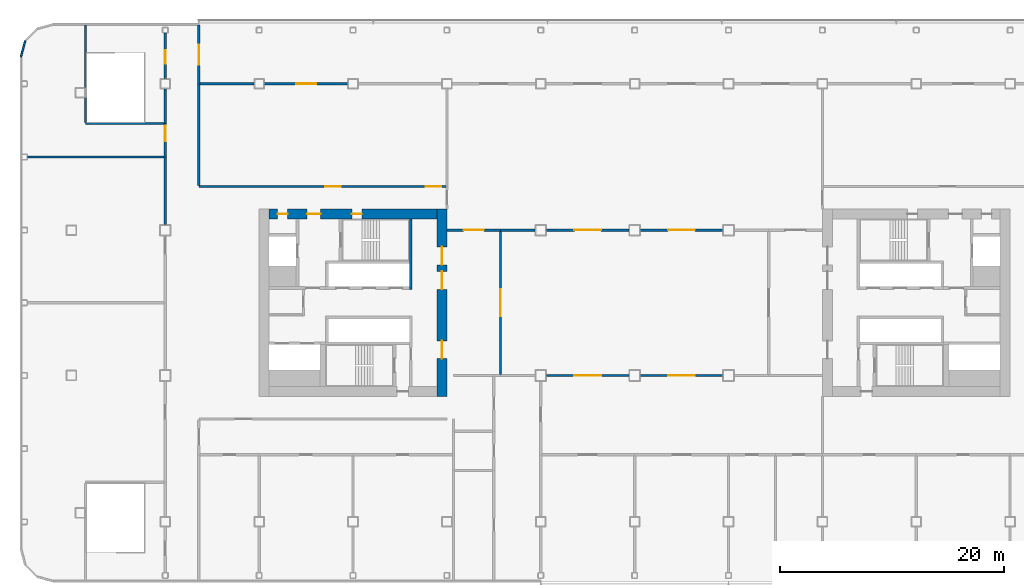
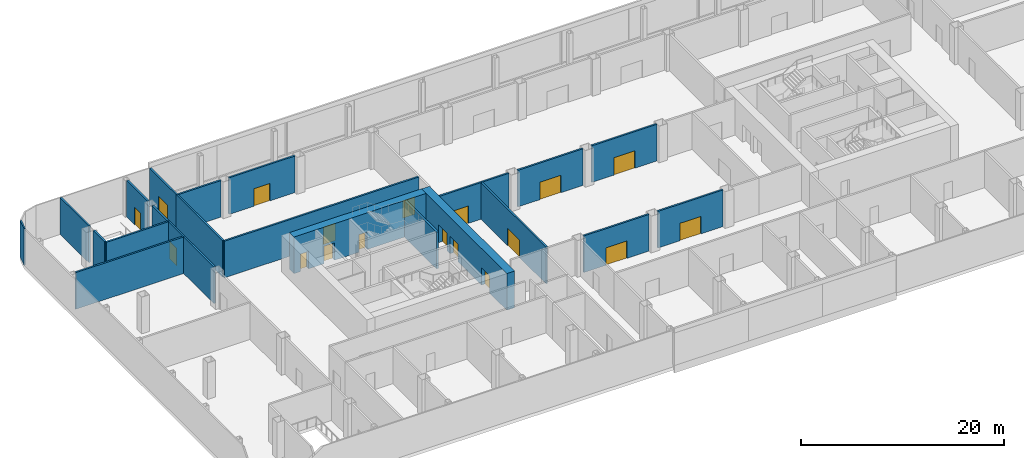
# One storey, part 20 of 53: 24 walls, 18 doors, 18 openings.
"""IFC4 building model written with IfcOpenShell, lengths in metres."""

from ifc_helpers import new_model, si_unit, direction, frame, frame_2d, origin, place, context, subcontext, project, spatial, rectangle, extrude, material, layer, layer_set, type_object, element, fill, save


model = new_model("IFC4")

# Units and contexts
model_context = context("Model", 3, precision=1e-05, world=origin(), true_north=direction((0.0, 1.0)))
body_context = subcontext(model_context, "Body", "Model", "MODEL_VIEW")
ifc_project = project(units=[si_unit("LENGTHUNIT", "METRE"), si_unit("AREAUNIT", "SQUARE_METRE"), si_unit("VOLUMEUNIT", "CUBIC_METRE"), si_unit("PLANEANGLEUNIT", "RADIAN"), si_unit("MASSUNIT", "GRAM", prefix="KILO")], contexts=[model_context])

# Site, building, storey
site_placement = place(None, origin())
site = spatial("IfcSite", under=ifc_project, at=site_placement, CompositionType="ELEMENT")
building_placement = place(site_placement, origin())
building = spatial("IfcBuilding", under=site, at=building_placement, Name="Hakoniwa Tower and Hamabe Station Hall", CompositionType="ELEMENT")
storey_placement = place(building_placement, frame((0.0, 0.0, 15.0)))
storey = spatial("IfcBuildingStorey", under=building, at=storey_placement, Name="L03", CompositionType="ELEMENT", Elevation=15.0)

# Wall, openings, doors
ifc_material_1 = material(Name="Concrete C80", Category="concrete")
ifc_layer_1 = layer(ifc_material_1, 0.89990234375)
ifc_layer_set_1 = layer_set([ifc_layer_1], Name="CORE WALL 900 C80")
wall_type_1 = type_object("IfcWallType", Name="CORE WALL 900 C80", PredefinedType="SHEAR", material=ifc_layer_set_1)
wall_1_placement = place(storey_placement, frame((-17.25, -8.39990234375, 0.0), z_axis=(0.0, 0.0, 1.0), x_axis=(0.0, 1.0, 0.0)))
wall_1 = element("IfcWall", 1, at=wall_1_placement, inside=storey, type_object=wall_type_1, Name="Core wall INNER west", PredefinedType="SHEAR", context=body_context, shape_type="SweptSolid", body=[
    extrude(rectangle(XDim=16.7998046875, YDim=0.89990234375, at=frame_2d((8.39990234375, 0.0))), origin(), (0.0, 0.0, 1.0), 4.39990234375),
])
opening_1_placement = place(wall_1_placement, frame((3.39990234375, 0.0, 0.0)))
opening_1 = element("IfcOpeningElement", 2, at=opening_1_placement, cuts=wall_1, Name="Opening CD-W-IN1-16", PredefinedType="OPENING", context=body_context, shape_type="SweptSolid", body=[
    extrude(rectangle(XDim=1.60009765625, YDim=2.10009765625, at=frame_2d((0.800048828125, 1.050048828125))), frame((0.0, 0.4599609375, 0.0), z_axis=(0.0, -1.0, 0.0), x_axis=(1.0, 0.0, 0.0)), (0.0, 0.0, 1.0), 0.919921875),
])
opening_2_placement = place(wall_1_placement, frame((9.60009765625, 0.0, 0.0)))
opening_2 = element("IfcOpeningElement", 3, at=opening_2_placement, cuts=wall_1, Name="Opening CD-W-IN2-16", PredefinedType="OPENING", context=body_context, shape_type="SweptSolid", body=[
    extrude(rectangle(XDim=1.60009765625, YDim=2.10009765625, at=frame_2d((0.800048828125, 1.050048828125))), frame((0.0, 0.4599609375, 0.0), z_axis=(0.0, -1.0, 0.0), x_axis=(1.0, 0.0, 0.0)), (0.0, 0.0, 1.0), 0.919921875),
])
opening_3_placement = place(wall_1_placement, frame((11.800048828125, 0.0, 0.0)))
opening_3 = element("IfcOpeningElement", 4, at=opening_3_placement, cuts=wall_1, Name="Opening CD-W-IN3-16", PredefinedType="OPENING", context=body_context, shape_type="SweptSolid", body=[
    extrude(rectangle(XDim=1.60009765625, YDim=2.10009765625, at=frame_2d((0.800048828125, 1.050048828125))), frame((0.0, 0.4599609375, 0.0), z_axis=(0.0, -1.0, 0.0), x_axis=(1.0, 0.0, 0.0)), (0.0, 0.0, 1.0), 0.919921875),
])
ifc_material_2 = material(Name="Steel fire door", Category="steel")
door_type_1 = type_object("IfcDoorType", Name="CORE DOOR 1600 FD60", OperationType="DOUBLE_DOOR_SINGLE_SWING", PredefinedType="DOOR", material=ifc_material_2)
door_1_placement = place(opening_1_placement, origin())
door_1 = element("IfcDoor", 5, at=door_1_placement, inside=storey, type_object=door_type_1, Name="Lift lobby door", OperationType="DOUBLE_DOOR_SINGLE_SWING", OverallHeight=2.10009765625, OverallWidth=1.60009765625, PredefinedType="DOOR", context=body_context, shape_type="SweptSolid", body=[
    extrude(rectangle(XDim=1.60009765625, YDim=2.10009765625, at=frame_2d((0.800048828125, 1.050048828125))), frame((0.0, 0.02490234375, 0.0), z_axis=(0.0, -1.0, 0.0), x_axis=(1.0, 0.0, 0.0)), (0.0, 0.0, 1.0), 0.050048828125),
])
fill(opening_1, door_1)
door_2_placement = place(opening_2_placement, origin())
door_2 = element("IfcDoor", 6, at=door_2_placement, inside=storey, type_object=door_type_1, Name="Lift lobby door", OperationType="DOUBLE_DOOR_SINGLE_SWING", OverallHeight=2.10009765625, OverallWidth=1.60009765625, PredefinedType="DOOR", context=body_context, shape_type="SweptSolid", body=[
    extrude(rectangle(XDim=1.60009765625, YDim=2.10009765625, at=frame_2d((0.800048828125, 1.050048828125))), frame((0.0, 0.02490234375, 0.0), z_axis=(0.0, -1.0, 0.0), x_axis=(1.0, 0.0, 0.0)), (0.0, 0.0, 1.0), 0.050048828125),
])
fill(opening_2, door_2)
door_3_placement = place(opening_3_placement, origin())
door_3 = element("IfcDoor", 7, at=door_3_placement, inside=storey, type_object=door_type_1, Name="Lift lobby door", OperationType="DOUBLE_DOOR_SINGLE_SWING", OverallHeight=2.10009765625, OverallWidth=1.60009765625, PredefinedType="DOOR", context=body_context, shape_type="SweptSolid", body=[
    extrude(rectangle(XDim=1.60009765625, YDim=2.10009765625, at=frame_2d((0.800048828125, 1.050048828125))), frame((0.0, 0.02490234375, 0.0), z_axis=(0.0, -1.0, 0.0), x_axis=(1.0, 0.0, 0.0)), (0.0, 0.0, 1.0), 0.050048828125),
])
fill(opening_3, door_3)

wall_2_placement = place(storey_placement, frame((-32.699951171875, 7.949951171875, 0.0), z_axis=(0.0, 0.0, 1.0), x_axis=(1.0, 0.0, 0.0)))
wall_2 = element("IfcWall", 8, at=wall_2_placement, inside=storey, type_object=wall_type_1, Name="Core wall NORTH west", PredefinedType="SHEAR", context=body_context, shape_type="SweptSolid", body=[
    extrude(rectangle(XDim=15.0, YDim=0.89990234375, at=frame_2d((7.5, 0.0))), origin(), (0.0, 0.0, 1.0), 4.39990234375),
])
opening_4_placement = place(wall_2_placement, frame((3.39990234375, 0.0, 0.0)))
opening_4 = element("IfcOpeningElement", 9, at=opening_4_placement, cuts=wall_2, Name="Opening CD-W-FN1-12", PredefinedType="OPENING", context=body_context, shape_type="SweptSolid", body=[
    extrude(rectangle(XDim=1.199951171875, YDim=2.10009765625, at=frame_2d((0.60009765625, 1.050048828125))), frame((0.0, 0.4599609375, 0.0), z_axis=(0.0, -1.0, 0.0), x_axis=(1.0, 0.0, 0.0)), (0.0, 0.0, 1.0), 0.919921875),
])
opening_5_placement = place(wall_2_placement, frame((0.75, 0.0, 0.0)))
opening_5 = element("IfcOpeningElement", 10, at=opening_5_placement, cuts=wall_2, Name="Opening CD-W-FN2-9", PredefinedType="OPENING", context=body_context, shape_type="SweptSolid", body=[
    extrude(rectangle(XDim=0.89990234375, YDim=2.10009765625, at=frame_2d((0.449951171875, 1.050048828125))), frame((0.0, 0.4599609375, 0.0), z_axis=(0.0, -1.0, 0.0), x_axis=(1.0, 0.0, 0.0)), (0.0, 0.0, 1.0), 0.919921875),
])
opening_6_placement = place(wall_2_placement, frame((7.39990234375, 0.0, 0.0)))
opening_6 = element("IfcOpeningElement", 11, at=opening_6_placement, cuts=wall_2, Name="Opening CD-W-FN4-9", PredefinedType="OPENING", context=body_context, shape_type="SweptSolid", body=[
    extrude(rectangle(XDim=0.89990234375, YDim=2.10009765625, at=frame_2d((0.449951171875, 1.050048828125))), frame((0.0, 0.4599609375, 0.0), z_axis=(0.0, -1.0, 0.0), x_axis=(1.0, 0.0, 0.0)), (0.0, 0.0, 1.0), 0.919921875),
])
ifc_material_3 = material(Name="Steel fire door", Category="steel")
door_type_2 = type_object("IfcDoorType", Name="CORE DOOR 1200 FD60", OperationType="DOUBLE_DOOR_SINGLE_SWING", PredefinedType="DOOR", material=ifc_material_3)
door_4_placement = place(opening_4_placement, origin())
door_4 = element("IfcDoor", 12, at=door_4_placement, inside=storey, type_object=door_type_2, Name="Stair vestibule door to the fire-fighting lobby", OperationType="DOUBLE_DOOR_SINGLE_SWING", OverallHeight=2.10009765625, OverallWidth=1.199951171875, PredefinedType="DOOR", context=body_context, shape_type="SweptSolid", body=[
    extrude(rectangle(XDim=1.199951171875, YDim=2.10009765625, at=frame_2d((0.60009765625, 1.050048828125))), frame((0.0, 0.02490234375, 0.0), z_axis=(0.0, -1.0, 0.0), x_axis=(1.0, 0.0, 0.0)), (0.0, 0.0, 1.0), 0.050048828125),
])
fill(opening_4, door_4)
ifc_material_4 = material(Name="Steel fire door", Category="steel")
door_type_3 = type_object("IfcDoorType", Name="CORE DOOR 900 FD30", OperationType="NOTDEFINED", PredefinedType="DOOR", material=ifc_material_4)
door_5_placement = place(opening_5_placement, origin())
door_5 = element("IfcDoor", 13, at=door_5_placement, inside=storey, type_object=door_type_3, Name="Riser access door", OperationType="SINGLE_SWING_LEFT", OverallHeight=2.10009765625, OverallWidth=0.89990234375, PredefinedType="DOOR", context=body_context, shape_type="SweptSolid", body=[
    extrude(rectangle(XDim=0.89990234375, YDim=2.10009765625, at=frame_2d((0.449951171875, 1.050048828125))), frame((0.0, 0.02490234375, 0.0), z_axis=(0.0, -1.0, 0.0), x_axis=(1.0, 0.0, 0.0)), (0.0, 0.0, 1.0), 0.050048828125),
])
fill(opening_5, door_5)
ifc_material_5 = material(Name="Steel fire door", Category="steel")
door_type_4 = type_object("IfcDoorType", Name="CORE DOOR 900 FD60", OperationType="NOTDEFINED", PredefinedType="DOOR", material=ifc_material_5)
door_6_placement = place(opening_6_placement, origin())
door_6 = element("IfcDoor", 14, at=door_6_placement, inside=storey, type_object=door_type_4, Name="Stair vestibule door to stair A", OperationType="SINGLE_SWING_LEFT", OverallHeight=2.10009765625, OverallWidth=0.89990234375, PredefinedType="DOOR", context=body_context, shape_type="SweptSolid", body=[
    extrude(rectangle(XDim=0.89990234375, YDim=2.10009765625, at=frame_2d((0.449951171875, 1.050048828125))), frame((0.0, 0.02490234375, 0.0), z_axis=(0.0, -1.0, 0.0), x_axis=(1.0, 0.0, 0.0)), (0.0, 0.0, 1.0), 0.050048828125),
])
fill(opening_6, door_6)

# Walls
ifc_material_6 = material(Name="Concrete C80", Category="concrete")
ifc_layer_2 = layer(ifc_material_6, 0.25)
ifc_layer_set_2 = layer_set([ifc_layer_2], Name="CORE WEB WALL 250 C80")
wall_type_2 = type_object("IfcWallType", Name="CORE WEB WALL 250 C80", PredefinedType="SHEAR", material=ifc_layer_set_2)
wall_3_placement = place(storey_placement, frame((-20.02490234375, 1.199951171875, 0.0), z_axis=(0.0, 0.0, 1.0), x_axis=(0.0, 1.0, 0.0)))
element("IfcWall", 15, at=wall_3_placement, inside=storey, type_object=wall_type_2, Name="Core wall W1N west", PredefinedType="SHEAR", context=body_context, shape_type="SweptSolid", body=[
    extrude(rectangle(XDim=6.300048828125, YDim=0.25, at=frame_2d((3.14990234375, 0.0))), origin(), (0.0, 0.0, 1.0), 4.39990234375),
])
ifc_material_7 = material(Name="Dark glass-faced aluminium panel", Category="aluminium")
ifc_layer_3 = layer(ifc_material_7, 0.14990234375)
ifc_layer_set_3 = layer_set([ifc_layer_3], Name="EXTERNAL WALL 150 EI 60")
wall_type_3 = type_object("IfcWallType", Name="EXTERNAL WALL 150 EI 60", PredefinedType="STANDARD", material=ifc_layer_set_3)
wall_4_placement = place(storey_placement, frame((-54.92236328125, 21.999755859375, 0.0), z_axis=(0.0, 0.0, 1.0), x_axis=(0.258741535379, 0.965946591624, 0.0)))
element("IfcWall", 16, at=wall_4_placement, inside=storey, type_object=wall_type_3, Name="External wall L03 9-1", PredefinedType="STANDARD", context=body_context, shape_type="SweptSolid", body=[
    extrude(rectangle(XDim=1.49267578125, YDim=0.14990234375, at=frame_2d((0.746337890625, 0.0))), origin(), (0.0, 0.0, 1.0), 4.39990234375),
])

# Wall, opening, door
ifc_material_8 = material(Name="Fire-rated gypsum board partition")
ifc_layer_4 = layer(ifc_material_8, 0.199951171875)
ifc_layer_set_4 = layer_set([ifc_layer_4], Name="FIRE PARTITION 200 EI 60")
wall_type_4 = type_object("IfcWallType", Name="FIRE PARTITION 200 EI 60", PredefinedType="PARTITIONING", material=ifc_layer_set_4)
wall_5_placement = place(storey_placement, frame((-12.0, 6.5, 0.0), z_axis=(0.0, 0.0, 1.0), x_axis=(-1.0, 0.0, 0.0)))
wall_5 = element("IfcWall", 17, at=wall_5_placement, inside=storey, type_object=wall_type_4, Name="Wall Grand Ballroom / Guest Lift Hall West", PredefinedType="PARTITIONING", context=body_context, shape_type="SweptSolid", body=[
    extrude(rectangle(XDim=4.800048828125, YDim=0.199951171875, at=frame_2d((2.39990234375, 0.0))), origin(), (0.0, 0.0, 1.0), 4.39990234375),
])
opening_7_placement = place(wall_5_placement, frame((1.5, 0.0, 0.0)))
opening_7 = element("IfcOpeningElement", 18, at=opening_7_placement, cuts=wall_5, Name="Opening PD-L03-009", PredefinedType="OPENING", context=body_context, shape_type="SweptSolid", body=[
    extrude(rectangle(XDim=1.800048828125, YDim=2.10009765625, at=frame_2d((0.89990234375, 1.050048828125))), frame((0.0, 0.10986328125, 0.0), z_axis=(0.0, -1.0, 0.0), x_axis=(1.0, 0.0, 0.0)), (0.0, 0.0, 1.0), 0.219970703125),
])
ifc_material_9 = material(Name="Glazed aluminium door", Category="aluminium")
door_type_5 = type_object("IfcDoorType", Name="DOUBLE GLAZED DOOR 1800X2100", OperationType="DOUBLE_DOOR_DOUBLE_SWING", PredefinedType="DOOR", material=ifc_material_9)
door_7_placement = place(opening_7_placement, origin())
door_7 = element("IfcDoor", 19, at=door_7_placement, inside=storey, type_object=door_type_5, Name="Door PD-L03-009", OperationType="DOUBLE_DOOR_DOUBLE_SWING", OverallHeight=2.10009765625, OverallWidth=1.800048828125, PredefinedType="DOOR", context=body_context, shape_type="SweptSolid", body=[
    extrude(rectangle(XDim=1.800048828125, YDim=2.10009765625, at=frame_2d((0.89990234375, 1.050048828125))), frame((0.0, 0.02490234375, 0.0), z_axis=(0.0, -1.0, 0.0), x_axis=(1.0, 0.0, 0.0)), (0.0, 0.0, 1.0), 0.050048828125),
])
fill(opening_7, door_7)

wall_6_placement = place(storey_placement, frame((7.89990234375, 6.5, 0.0), z_axis=(0.0, 0.0, 1.0), x_axis=(-1.0, 0.0, 0.0)))
wall_6 = element("IfcWall", 20, at=wall_6_placement, inside=storey, type_object=wall_type_4, Name="Wall Grand Ballroom / Guest Library", PredefinedType="PARTITIONING", context=body_context, shape_type="SweptSolid", body=[
    extrude(rectangle(XDim=7.39990234375, YDim=0.199951171875, at=frame_2d((3.699951171875, 0.0))), origin(), (0.0, 0.0, 1.0), 4.39990234375),
])
opening_8_placement = place(wall_6_placement, frame((2.5, 0.0, 0.0)))
opening_8 = element("IfcOpeningElement", 21, at=opening_8_placement, cuts=wall_6, Name="Opening PD-L03-002", PredefinedType="OPENING", context=body_context, shape_type="SweptSolid", body=[
    extrude(rectangle(XDim=2.39990234375, YDim=2.10009765625, at=frame_2d((1.199951171875, 1.050048828125))), frame((0.0, 0.10986328125, 0.0), z_axis=(0.0, -1.0, 0.0), x_axis=(1.0, 0.0, 0.0)), (0.0, 0.0, 1.0), 0.219970703125),
])
ifc_material_10 = material(Name="Glazed aluminium door", Category="aluminium")
door_type_6 = type_object("IfcDoorType", Name="DOUBLE GLAZED DOOR 2400X2100", OperationType="DOUBLE_DOOR_DOUBLE_SWING", PredefinedType="DOOR", material=ifc_material_10)
door_8_placement = place(opening_8_placement, origin())
door_8 = element("IfcDoor", 22, at=door_8_placement, inside=storey, type_object=door_type_6, Name="Door PD-L03-002", OperationType="DOUBLE_DOOR_DOUBLE_SWING", OverallHeight=2.10009765625, OverallWidth=2.39990234375, PredefinedType="DOOR", context=body_context, shape_type="SweptSolid", body=[
    extrude(rectangle(XDim=2.39990234375, YDim=2.10009765625, at=frame_2d((1.199951171875, 1.050048828125))), frame((0.0, 0.02490234375, 0.0), z_axis=(0.0, -1.0, 0.0), x_axis=(1.0, 0.0, 0.0)), (0.0, 0.0, 1.0), 0.050048828125),
])
fill(opening_8, door_8)

wall_7_placement = place(storey_placement, frame((-0.5, 6.5, 0.0), z_axis=(0.0, 0.0, 1.0), x_axis=(-1.0, 0.0, 0.0)))
wall_7 = element("IfcWall", 23, at=wall_7_placement, inside=storey, type_object=wall_type_4, Name="Wall Grand Ballroom / Guest Library", PredefinedType="PARTITIONING", context=body_context, shape_type="SweptSolid", body=[
    extrude(rectangle(XDim=7.39990234375, YDim=0.199951171875, at=frame_2d((3.699951171875, 0.0))), origin(), (0.0, 0.0, 1.0), 4.39990234375),
])
opening_9_placement = place(wall_7_placement, frame((2.5, 0.0, 0.0)))
opening_9 = element("IfcOpeningElement", 24, at=opening_9_placement, cuts=wall_7, Name="Opening PD-L03-001", PredefinedType="OPENING", context=body_context, shape_type="SweptSolid", body=[
    extrude(rectangle(XDim=2.39990234375, YDim=2.10009765625, at=frame_2d((1.199951171875, 1.050048828125))), frame((0.0, 0.10986328125, 0.0), z_axis=(0.0, -1.0, 0.0), x_axis=(1.0, 0.0, 0.0)), (0.0, 0.0, 1.0), 0.219970703125),
])
door_9_placement = place(opening_9_placement, origin())
door_9 = element("IfcDoor", 25, at=door_9_placement, inside=storey, type_object=door_type_6, Name="Door PD-L03-001", OperationType="DOUBLE_DOOR_DOUBLE_SWING", OverallHeight=2.10009765625, OverallWidth=2.39990234375, PredefinedType="DOOR", context=body_context, shape_type="SweptSolid", body=[
    extrude(rectangle(XDim=2.39990234375, YDim=2.10009765625, at=frame_2d((1.199951171875, 1.050048828125))), frame((0.0, 0.02490234375, 0.0), z_axis=(0.0, -1.0, 0.0), x_axis=(1.0, 0.0, 0.0)), (0.0, 0.0, 1.0), 0.050048828125),
])
fill(opening_9, door_9)

# Walls
wall_8_placement = place(storey_placement, frame((-8.89990234375, 6.5, 0.0), z_axis=(0.0, 0.0, 1.0), x_axis=(-1.0, 0.0, 0.0)))
element("IfcWall", 26, at=wall_8_placement, inside=storey, type_object=wall_type_4, Name="Wall Grand Ballroom / Guest Library", PredefinedType="PARTITIONING", context=body_context, shape_type="SweptSolid", body=[
    extrude(rectangle(XDim=3.10009765625, YDim=0.199951171875, at=frame_2d((1.550048828125, 0.0))), origin(), (0.0, 0.0, 1.0), 4.39990234375),
])
wall_9_placement = place(storey_placement, frame((-54.35009765625, 13.050048828125, 0.0), z_axis=(0.0, 0.0, 1.0), x_axis=(1.0, 0.0, 0.0)))
element("IfcWall", 27, at=wall_9_placement, inside=storey, type_object=wall_type_4, Name="Wall Banquet Store / Catering Kitchen", PredefinedType="PARTITIONING", context=body_context, shape_type="SweptSolid", body=[
    extrude(rectangle(XDim=12.25, YDim=0.199951171875, at=frame_2d((6.125, 0.0))), origin(), (0.0, 0.0, 1.0), 4.39990234375),
])

# Wall, opening, door
wall_10_placement = place(storey_placement, frame((-12.0, 6.39990234375, 0.0), z_axis=(0.0, 0.0, 1.0), x_axis=(0.0, -1.0, 0.0)))
wall_10 = element("IfcWall", 28, at=wall_10_placement, inside=storey, type_object=wall_type_4, Name="Wall Guest Lift Hall West / Guest Library", PredefinedType="PARTITIONING", context=body_context, shape_type="SweptSolid", body=[
    extrude(rectangle(XDim=12.7998046875, YDim=0.199951171875, at=frame_2d((6.39990234375, 0.0))), origin(), (0.0, 0.0, 1.0), 4.39990234375),
])
opening_10_placement = place(wall_10_placement, frame((5.199951171875, 0.0, 0.0)))
opening_10 = element("IfcOpeningElement", 29, at=opening_10_placement, cuts=wall_10, Name="Opening PD-L03-003", PredefinedType="OPENING", context=body_context, shape_type="SweptSolid", body=[
    extrude(rectangle(XDim=2.39990234375, YDim=2.10009765625, at=frame_2d((1.199951171875, 1.050048828125))), frame((0.0, 0.10986328125, 0.0), z_axis=(0.0, -1.0, 0.0), x_axis=(1.0, 0.0, 0.0)), (0.0, 0.0, 1.0), 0.219970703125),
])
door_10_placement = place(opening_10_placement, origin())
door_10 = element("IfcDoor", 30, at=door_10_placement, inside=storey, type_object=door_type_6, Name="Door PD-L03-003", OperationType="DOUBLE_DOOR_DOUBLE_SWING", OverallHeight=2.10009765625, OverallWidth=2.39990234375, PredefinedType="DOOR", context=body_context, shape_type="SweptSolid", body=[
    extrude(rectangle(XDim=2.39990234375, YDim=2.10009765625, at=frame_2d((1.199951171875, 1.050048828125))), frame((0.0, 0.02490234375, 0.0), z_axis=(0.0, -1.0, 0.0), x_axis=(1.0, 0.0, 0.0)), (0.0, 0.0, 1.0), 0.050048828125),
])
fill(opening_10, door_10)

wall_11_placement = place(storey_placement, frame((7.89990234375, -6.5, 0.0), z_axis=(0.0, 0.0, 1.0), x_axis=(-1.0, 0.0, 0.0)))
wall_11 = element("IfcWall", 31, at=wall_11_placement, inside=storey, type_object=wall_type_4, Name="Wall Guest Library / Spa Reception", PredefinedType="PARTITIONING", context=body_context, shape_type="SweptSolid", body=[
    extrude(rectangle(XDim=7.39990234375, YDim=0.199951171875, at=frame_2d((3.699951171875, 0.0))), origin(), (0.0, 0.0, 1.0), 4.39990234375),
])
opening_11_placement = place(wall_11_placement, frame((2.5, 0.0, 0.0)))
opening_11 = element("IfcOpeningElement", 32, at=opening_11_placement, cuts=wall_11, Name="Opening PD-L03-026", PredefinedType="OPENING", context=body_context, shape_type="SweptSolid", body=[
    extrude(rectangle(XDim=2.39990234375, YDim=2.10009765625, at=frame_2d((1.199951171875, 1.050048828125))), frame((0.0, 0.10986328125, 0.0), z_axis=(0.0, -1.0, 0.0), x_axis=(1.0, 0.0, 0.0)), (0.0, 0.0, 1.0), 0.219970703125),
])
door_11_placement = place(opening_11_placement, origin())
door_11 = element("IfcDoor", 33, at=door_11_placement, inside=storey, type_object=door_type_6, Name="Door PD-L03-026", OperationType="DOUBLE_DOOR_DOUBLE_SWING", OverallHeight=2.10009765625, OverallWidth=2.39990234375, PredefinedType="DOOR", context=body_context, shape_type="SweptSolid", body=[
    extrude(rectangle(XDim=2.39990234375, YDim=2.10009765625, at=frame_2d((1.199951171875, 1.050048828125))), frame((0.0, 0.02490234375, 0.0), z_axis=(0.0, -1.0, 0.0), x_axis=(1.0, 0.0, 0.0)), (0.0, 0.0, 1.0), 0.050048828125),
])
fill(opening_11, door_11)

wall_12_placement = place(storey_placement, frame((-0.5, -6.5, 0.0), z_axis=(0.0, 0.0, 1.0), x_axis=(-1.0, 0.0, 0.0)))
wall_12 = element("IfcWall", 34, at=wall_12_placement, inside=storey, type_object=wall_type_4, Name="Wall Guest Library / Spa Reception", PredefinedType="PARTITIONING", context=body_context, shape_type="SweptSolid", body=[
    extrude(rectangle(XDim=7.39990234375, YDim=0.199951171875, at=frame_2d((3.699951171875, 0.0))), origin(), (0.0, 0.0, 1.0), 4.39990234375),
])
opening_12_placement = place(wall_12_placement, frame((2.5, 0.0, 0.0)))
opening_12 = element("IfcOpeningElement", 35, at=opening_12_placement, cuts=wall_12, Name="Opening PD-L03-027", PredefinedType="OPENING", context=body_context, shape_type="SweptSolid", body=[
    extrude(rectangle(XDim=2.39990234375, YDim=2.10009765625, at=frame_2d((1.199951171875, 1.050048828125))), frame((0.0, 0.10986328125, 0.0), z_axis=(0.0, -1.0, 0.0), x_axis=(1.0, 0.0, 0.0)), (0.0, 0.0, 1.0), 0.219970703125),
])
door_12_placement = place(opening_12_placement, origin())
door_12 = element("IfcDoor", 36, at=door_12_placement, inside=storey, type_object=door_type_6, Name="Door PD-L03-027", OperationType="DOUBLE_DOOR_DOUBLE_SWING", OverallHeight=2.10009765625, OverallWidth=2.39990234375, PredefinedType="DOOR", context=body_context, shape_type="SweptSolid", body=[
    extrude(rectangle(XDim=2.39990234375, YDim=2.10009765625, at=frame_2d((1.199951171875, 1.050048828125))), frame((0.0, 0.02490234375, 0.0), z_axis=(0.0, -1.0, 0.0), x_axis=(1.0, 0.0, 0.0)), (0.0, 0.0, 1.0), 0.050048828125),
])
fill(opening_12, door_12)

wall_13_placement = place(storey_placement, frame((-25.64990234375, 19.60009765625, 0.0), z_axis=(0.0, 0.0, 1.0), x_axis=(-1.0, 0.0, 0.0)))
wall_13 = element("IfcWall", 37, at=wall_13_placement, inside=storey, type_object=wall_type_4, Name="Wall Ballroom Pre-function Foyer / Meeting Room 8", PredefinedType="PARTITIONING", context=body_context, shape_type="SweptSolid", body=[
    extrude(rectangle(XDim=7.5, YDim=0.199951171875, at=frame_2d((3.75, 0.0))), origin(), (0.0, 0.0, 1.0), 4.39990234375),
])
opening_13_placement = place(wall_13_placement, frame((2.85009765625, 0.0, 0.0)))
opening_13 = element("IfcOpeningElement", 38, at=opening_13_placement, cuts=wall_13, Name="Opening PD-L03-017", PredefinedType="OPENING", context=body_context, shape_type="SweptSolid", body=[
    extrude(rectangle(XDim=1.800048828125, YDim=2.10009765625, at=frame_2d((0.89990234375, 1.050048828125))), frame((0.0, 0.10986328125, 0.0), z_axis=(0.0, -1.0, 0.0), x_axis=(1.0, 0.0, 0.0)), (0.0, 0.0, 1.0), 0.219970703125),
])
door_13_placement = place(opening_13_placement, origin())
door_13 = element("IfcDoor", 39, at=door_13_placement, inside=storey, type_object=door_type_5, Name="Door PD-L03-017", OperationType="DOUBLE_DOOR_DOUBLE_SWING", OverallHeight=2.10009765625, OverallWidth=1.800048828125, PredefinedType="DOOR", context=body_context, shape_type="SweptSolid", body=[
    extrude(rectangle(XDim=1.800048828125, YDim=2.10009765625, at=frame_2d((0.89990234375, 1.050048828125))), frame((0.0, 0.02490234375, 0.0), z_axis=(0.0, -1.0, 0.0), x_axis=(1.0, 0.0, 0.0)), (0.0, 0.0, 1.0), 0.050048828125),
])
fill(opening_13, door_13)

# Walls
wall_14_placement = place(storey_placement, frame((-34.050048828125, 19.60009765625, 0.0), z_axis=(0.0, 0.0, 1.0), x_axis=(-1.0, 0.0, 0.0)))
element("IfcWall", 40, at=wall_14_placement, inside=storey, type_object=wall_type_4, Name="Wall Ballroom Pre-function Foyer / Meeting Room 8", PredefinedType="PARTITIONING", context=body_context, shape_type="SweptSolid", body=[
    extrude(rectangle(XDim=4.849853515625, YDim=0.199951171875, at=frame_2d((2.4248046875, 0.0))), origin(), (0.0, 0.0, 1.0), 4.39990234375),
])
wall_15_placement = place(storey_placement, frame((-42.0, 7.0, 0.0), z_axis=(0.0, 0.0, 1.0), x_axis=(0.0, 1.0, 0.0)))
element("IfcWall", 41, at=wall_15_placement, inside=storey, type_object=wall_type_4, Name="Wall West Service Corridor / Banquet Store", PredefinedType="PARTITIONING", context=body_context, shape_type="SweptSolid", body=[
    extrude(rectangle(XDim=6.050048828125, YDim=0.199951171875, at=frame_2d((3.02490234375, 0.0))), origin(), (0.0, 0.0, 1.0), 4.39990234375),
])

# Wall, opening, door
wall_16_placement = place(storey_placement, frame((-42.0, 13.050048828125, 0.0), z_axis=(0.0, 0.0, 1.0), x_axis=(0.0, 1.0, 0.0)))
wall_16 = element("IfcWall", 42, at=wall_16_placement, inside=storey, type_object=wall_type_4, Name="Wall West Service Corridor / Catering Kitchen", PredefinedType="PARTITIONING", context=body_context, shape_type="SweptSolid", body=[
    extrude(rectangle(XDim=3.0, YDim=0.199951171875, at=frame_2d((1.5, 0.0))), origin(), (0.0, 0.0, 1.0), 4.39990234375),
])
opening_14_placement = place(wall_16_placement, frame((1.39990234375, 0.0, 0.0)))
opening_14 = element("IfcOpeningElement", 43, at=opening_14_placement, cuts=wall_16, Name="Opening PD-L03-038", PredefinedType="OPENING", context=body_context, shape_type="SweptSolid", body=[
    extrude(rectangle(XDim=1.39990234375, YDim=2.10009765625, at=frame_2d((0.699951171875, 1.050048828125))), frame((0.0, 0.10986328125, 0.0), z_axis=(0.0, -1.0, 0.0), x_axis=(1.0, 0.0, 0.0)), (0.0, 0.0, 1.0), 0.219970703125),
])
ifc_material_11 = material(Name="Steel fire door", Category="steel")
door_type_7 = type_object("IfcDoorType", Name="FIRE DOOR 1400X2100 FD60", OperationType="SINGLE_SWING_LEFT", PredefinedType="DOOR", material=ifc_material_11)
door_14_placement = place(opening_14_placement, origin())
door_14 = element("IfcDoor", 44, at=door_14_placement, inside=storey, type_object=door_type_7, Name="Door PD-L03-038", OperationType="SINGLE_SWING_LEFT", OverallHeight=2.10009765625, OverallWidth=1.39990234375, PredefinedType="DOOR", context=body_context, shape_type="SweptSolid", body=[
    extrude(rectangle(XDim=1.39990234375, YDim=2.10009765625, at=frame_2d((0.699951171875, 1.050048828125))), frame((0.0, 0.02490234375, 0.0), z_axis=(0.0, -1.0, 0.0), x_axis=(1.0, 0.0, 0.0)), (0.0, 0.0, 1.0), 0.050048828125),
])
fill(opening_14, door_14)

# Wall, openings, doors
wall_17_placement = place(storey_placement, frame((-39.0, 10.39990234375, 0.0), z_axis=(0.0, 0.0, 1.0), x_axis=(1.0, 0.0, 0.0)))
wall_17 = element("IfcWall", 45, at=wall_17_placement, inside=storey, type_object=wall_type_4, Name="Wall West Service Corridor / Meeting Room 8", PredefinedType="PARTITIONING", context=body_context, shape_type="SweptSolid", body=[
    extrude(rectangle(XDim=22.10009765625, YDim=0.199951171875, at=frame_2d((11.050048828125, 0.0))), origin(), (0.0, 0.0, 1.0), 4.39990234375),
])
opening_15_placement = place(wall_17_placement, frame((11.300048828125, 0.0, 0.0)))
opening_15 = element("IfcOpeningElement", 46, at=opening_15_placement, cuts=wall_17, Name="Opening PD-L03-013", PredefinedType="OPENING", context=body_context, shape_type="SweptSolid", body=[
    extrude(rectangle(XDim=1.39990234375, YDim=2.10009765625, at=frame_2d((0.699951171875, 1.050048828125))), frame((0.0, 0.10986328125, 0.0), z_axis=(0.0, -1.0, 0.0), x_axis=(1.0, 0.0, 0.0)), (0.0, 0.0, 1.0), 0.219970703125),
])
opening_16_placement = place(wall_17_placement, frame((20.300048828125, 0.0, 0.0)))
opening_16 = element("IfcOpeningElement", 47, at=opening_16_placement, cuts=wall_17, Name="Opening PD-L03-014", PredefinedType="OPENING", context=body_context, shape_type="SweptSolid", body=[
    extrude(rectangle(XDim=1.39990234375, YDim=2.10009765625, at=frame_2d((0.699951171875, 1.050048828125))), frame((0.0, 0.10986328125, 0.0), z_axis=(0.0, -1.0, 0.0), x_axis=(1.0, 0.0, 0.0)), (0.0, 0.0, 1.0), 0.219970703125),
])
door_15_placement = place(opening_15_placement, origin())
door_15 = element("IfcDoor", 48, at=door_15_placement, inside=storey, type_object=door_type_7, Name="Door PD-L03-013", OperationType="SINGLE_SWING_LEFT", OverallHeight=2.10009765625, OverallWidth=1.39990234375, PredefinedType="DOOR", context=body_context, shape_type="SweptSolid", body=[
    extrude(rectangle(XDim=1.39990234375, YDim=2.10009765625, at=frame_2d((0.699951171875, 1.050048828125))), frame((0.0, 0.02490234375, 0.0), z_axis=(0.0, -1.0, 0.0), x_axis=(1.0, 0.0, 0.0)), (0.0, 0.0, 1.0), 0.050048828125),
])
fill(opening_15, door_15)
door_16_placement = place(opening_16_placement, origin())
door_16 = element("IfcDoor", 49, at=door_16_placement, inside=storey, type_object=door_type_7, Name="Door PD-L03-014", OperationType="SINGLE_SWING_LEFT", OverallHeight=2.10009765625, OverallWidth=1.39990234375, PredefinedType="DOOR", context=body_context, shape_type="SweptSolid", body=[
    extrude(rectangle(XDim=1.39990234375, YDim=2.10009765625, at=frame_2d((0.699951171875, 1.050048828125))), frame((0.0, 0.02490234375, 0.0), z_axis=(0.0, -1.0, 0.0), x_axis=(1.0, 0.0, 0.0)), (0.0, 0.0, 1.0), 0.050048828125),
])
fill(opening_16, door_16)

# Wall
wall_18_placement = place(storey_placement, frame((-39.0, 19.60009765625, 0.0), z_axis=(0.0, 0.0, 1.0), x_axis=(0.0, -1.0, 0.0)))
element("IfcWall", 50, at=wall_18_placement, inside=storey, type_object=wall_type_4, Name="Wall West Service Corridor / Meeting Room 8", PredefinedType="PARTITIONING", context=body_context, shape_type="SweptSolid", body=[
    extrude(rectangle(XDim=9.10009765625, YDim=0.199951171875, at=frame_2d((4.550048828125, 0.0))), origin(), (0.0, 0.0, 1.0), 4.39990234375),
])

# Wall, opening, door
wall_19_placement = place(storey_placement, frame((-39.0, 24.85009765625, 0.0), z_axis=(0.0, 0.0, 1.0), x_axis=(0.0, -1.0, 0.0)))
wall_19 = element("IfcWall", 51, at=wall_19_placement, inside=storey, type_object=wall_type_4, Name="Wall West Service Corridor / Ballroom Pre-function Foyer", PredefinedType="PARTITIONING", context=body_context, shape_type="SweptSolid", body=[
    extrude(rectangle(XDim=5.25, YDim=0.199951171875, at=frame_2d((2.625, 0.0))), origin(), (0.0, 0.0, 1.0), 4.39990234375),
])
opening_17_placement = place(wall_19_placement, frame((1.75, 0.0, 0.0)))
opening_17 = element("IfcOpeningElement", 52, at=opening_17_placement, cuts=wall_19, Name="Opening PD-L03-019", PredefinedType="OPENING", context=body_context, shape_type="SweptSolid", body=[
    extrude(rectangle(XDim=1.800048828125, YDim=2.10009765625, at=frame_2d((0.89990234375, 1.050048828125))), frame((0.0, 0.10986328125, 0.0), z_axis=(0.0, -1.0, 0.0), x_axis=(1.0, 0.0, 0.0)), (0.0, 0.0, 1.0), 0.219970703125),
])
ifc_material_12 = material(Name="Steel fire door", Category="steel")
door_type_8 = type_object("IfcDoorType", Name="FIRE DOUBLE DOOR 1800X2100 FD60", OperationType="DOUBLE_DOOR_SINGLE_SWING", PredefinedType="DOOR", material=ifc_material_12)
door_17_placement = place(opening_17_placement, origin())
door_17 = element("IfcDoor", 53, at=door_17_placement, inside=storey, type_object=door_type_8, Name="Door PD-L03-019", OperationType="DOUBLE_DOOR_SINGLE_SWING", OverallHeight=2.10009765625, OverallWidth=1.800048828125, PredefinedType="DOOR", context=body_context, shape_type="SweptSolid", body=[
    extrude(rectangle(XDim=1.800048828125, YDim=2.10009765625, at=frame_2d((0.89990234375, 1.050048828125))), frame((0.0, 0.02490234375, 0.0), z_axis=(0.0, -1.0, 0.0), x_axis=(1.0, 0.0, 0.0)), (0.0, 0.0, 1.0), 0.050048828125),
])
fill(opening_17, door_17)

# Walls
ifc_material_13 = material(Name="Concrete C40", Category="concrete")
ifc_layer_5 = layer(ifc_material_13, 0.199951171875)
ifc_layer_set_5 = layer_set([ifc_layer_5], Name="RC WALL 200 EI 60 C40")
wall_type_5 = type_object("IfcWallType", Name="RC WALL 200 EI 60 C40", PredefinedType="SHEAR", material=ifc_layer_set_5)
wall_20_placement = place(storey_placement, frame((-49.14990234375, 16.14990234375, 0.0), z_axis=(0.0, 0.0, 1.0), x_axis=(0.0, 1.0, 0.0)))
element("IfcWall", 54, at=wall_20_placement, inside=storey, type_object=wall_type_5, Name="Wall Escape Stair PS1 / Catering Kitchen", PredefinedType="SHEAR", context=body_context, shape_type="SweptSolid", body=[
    extrude(rectangle(XDim=2.203125, YDim=0.199951171875, at=frame_2d((1.1015625, 0.0))), origin(), (0.0, 0.0, 1.0), 4.39990234375),
])
wall_21_placement = place(storey_placement, frame((-49.14990234375, 19.253173828125, 0.0), z_axis=(0.0, 0.0, 1.0), x_axis=(0.0, 1.0, 0.0)))
element("IfcWall", 55, at=wall_21_placement, inside=storey, type_object=wall_type_5, Name="Wall Escape Stair PS1 / Catering Kitchen", PredefinedType="SHEAR", context=body_context, shape_type="SweptSolid", body=[
    extrude(rectangle(XDim=5.596923828125, YDim=0.199951171875, at=frame_2d((2.79833984375, 0.0))), origin(), (0.0, 0.0, 1.0), 4.39990234375),
])
wall_22_placement = place(storey_placement, frame((-42.10009765625, 16.050048828125, 0.0), z_axis=(0.0, 0.0, 1.0), x_axis=(-1.0, 0.0, 0.0)))
element("IfcWall", 56, at=wall_22_placement, inside=storey, type_object=wall_type_5, Name="Wall Escape Stair PS1 / Catering Kitchen", PredefinedType="SHEAR", context=body_context, shape_type="SweptSolid", body=[
    extrude(rectangle(XDim=7.0498046875, YDim=0.199951171875, at=frame_2d((3.52490234375, 0.0))), origin(), (0.0, 0.0, 1.0), 4.39990234375),
])

# Wall, opening, door
wall_23_placement = place(storey_placement, frame((-42.0, 24.14990234375, 0.0), z_axis=(0.0, 0.0, 1.0), x_axis=(0.0, -1.0, 0.0)))
wall_23 = element("IfcWall", 57, at=wall_23_placement, inside=storey, type_object=wall_type_5, Name="Wall Escape Stair PS1 / West Service Corridor", PredefinedType="SHEAR", context=body_context, shape_type="SweptSolid", body=[
    extrude(rectangle(XDim=4.099853515625, YDim=0.199951171875, at=frame_2d((2.0498046875, 0.0))), origin(), (0.0, 0.0, 1.0), 4.39990234375),
])
opening_18_placement = place(wall_23_placement, frame((1.550048828125, 0.0, 0.0)))
opening_18 = element("IfcOpeningElement", 58, at=opening_18_placement, cuts=wall_23, Name="Opening PD-L03-039", PredefinedType="OPENING", context=body_context, shape_type="SweptSolid", body=[
    extrude(rectangle(XDim=1.199951171875, YDim=2.10009765625, at=frame_2d((0.60009765625, 1.050048828125))), frame((0.0, 0.10986328125, 0.0), z_axis=(0.0, -1.0, 0.0), x_axis=(1.0, 0.0, 0.0)), (0.0, 0.0, 1.0), 0.219970703125),
])
ifc_material_14 = material(Name="Steel fire door", Category="steel")
door_type_9 = type_object("IfcDoorType", Name="FIRE DOOR 1200X2100 FD60", OperationType="SINGLE_SWING_LEFT", PredefinedType="DOOR", material=ifc_material_14)
door_18_placement = place(opening_18_placement, origin())
door_18 = element("IfcDoor", 59, at=door_18_placement, inside=storey, type_object=door_type_9, Name="Escape stair door PS1", OperationType="SINGLE_SWING_RIGHT", OverallHeight=2.10009765625, OverallWidth=1.199951171875, PredefinedType="DOOR", context=body_context, shape_type="SweptSolid", body=[
    extrude(rectangle(XDim=1.199951171875, YDim=2.10009765625, at=frame_2d((0.60009765625, 1.050048828125))), frame((0.0, 0.02490234375, 0.0), z_axis=(0.0, -1.0, 0.0), x_axis=(1.0, 0.0, 0.0)), (0.0, 0.0, 1.0), 0.050048828125),
])
fill(opening_18, door_18)

# Wall
wall_24_placement = place(storey_placement, frame((-42.0, 19.14990234375, 0.0), z_axis=(0.0, 0.0, 1.0), x_axis=(0.0, -1.0, 0.0)))
element("IfcWall", 60, at=wall_24_placement, inside=storey, type_object=wall_type_5, Name="Wall Escape Stair PS1 / West Service Corridor", PredefinedType="SHEAR", context=body_context, shape_type="SweptSolid", body=[
    extrude(rectangle(XDim=3.099853515625, YDim=0.199951171875, at=frame_2d((1.5498046875, 0.0))), origin(), (0.0, 0.0, 1.0), 4.39990234375),
])

save(model, "model.ifc")
